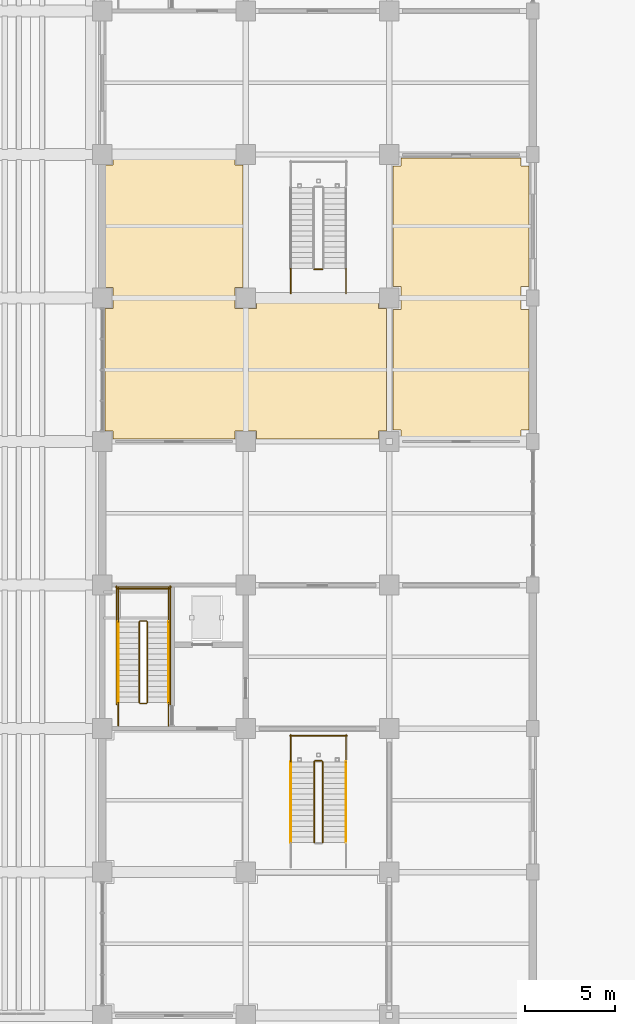
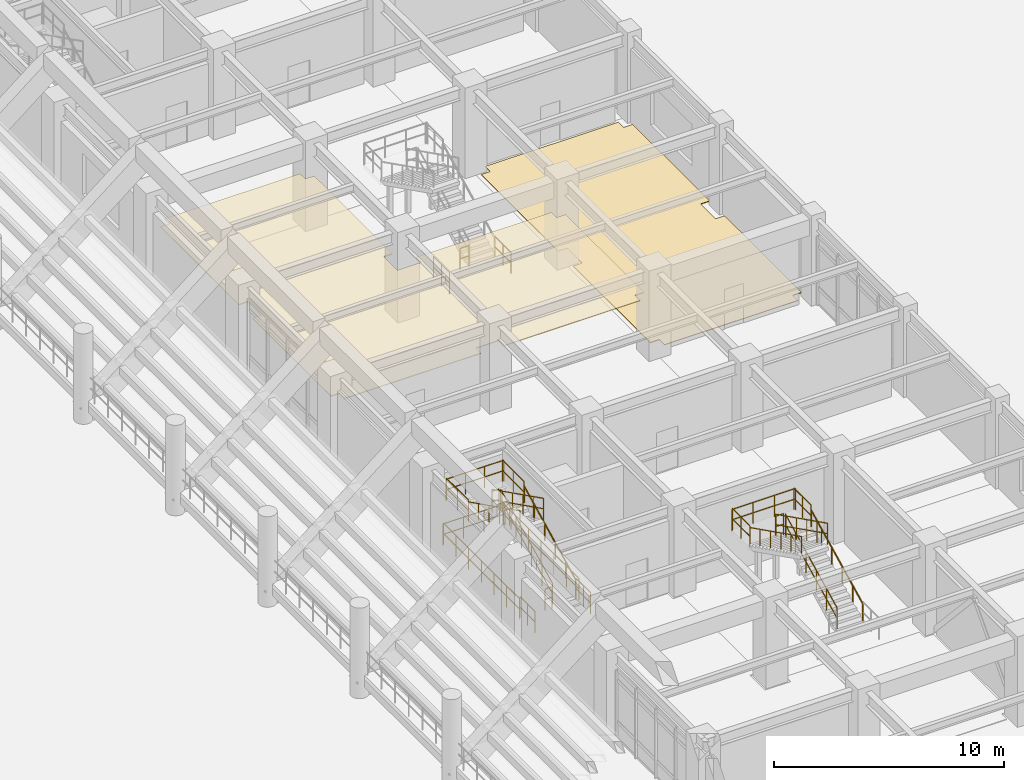
# One storey, part 114 of 125: 25 railings, 2 coverings.
"""IFC4 building model written with IfcOpenShell, lengths in metres."""

from ifc_helpers import new_model, si_unit, direction, frame, origin, origin_2d, place, context, subcontext, project, spatial, polyline, circle, outline, extrude, material, layer, layer_set, type_object, element, save


model = new_model("IFC4")

# Units and contexts
model_context = context("Model", 3, precision=1e-05, world=origin(), true_north=direction((0.0, 1.0)))
body_context = subcontext(model_context, "Body", "Model", "MODEL_VIEW")
ifc_project = project(units=[si_unit("LENGTHUNIT", "METRE"), si_unit("AREAUNIT", "SQUARE_METRE"), si_unit("VOLUMEUNIT", "CUBIC_METRE"), si_unit("PLANEANGLEUNIT", "RADIAN"), si_unit("MASSUNIT", "GRAM", prefix="KILO")], contexts=[model_context])

# Site, building, storey
site_placement = place(None, origin())
site = spatial("IfcSite", under=ifc_project, at=site_placement, CompositionType="ELEMENT")
building_placement = place(site_placement, origin())
building = spatial("IfcBuilding", under=site, at=building_placement, Name="Haebicheon Civic Stadium", CompositionType="ELEMENT")
storey_placement = place(building_placement, origin())
storey = spatial("IfcBuildingStorey", under=building, at=storey_placement, Name="L01", CompositionType="ELEMENT", Elevation=0.0)

# Coverings
ifc_material_1 = material(Name="Perforated mineral-fibre acoustic board", Category="gypsum")
ifc_layer_1 = layer(ifc_material_1, 0.0400390625, Name="Perforated mineral-fibre acoustic board")
ifc_layer_set_1 = layer_set([ifc_layer_1], Name="Perforated mineral-fibre acoustic board")
covering_type_1 = type_object("IfcCoveringType", Name="COV-CLG-AC", PredefinedType="CEILING", material=ifc_layer_set_1)
covering_1_placement = place(storey_placement, frame((0.0, 0.0, 2.81005859375)))
element("IfcCovering", 1, at=covering_1_placement, inside=storey, type_object=covering_type_1, material=ifc_layer_set_1, Name="L01 Steward Operations Briefing Room acoustic ceiling", PredefinedType="CEILING", context=body_context, shape_type="SweptSolid", body=[
    extrude(outline(polyline([(144.14501953125, 87.405029296875), (144.594970703125, 87.405029296875), (144.594970703125, 88.594970703125), (144.14501953125, 88.594970703125), (144.14501953125, 95.405029296875), (144.594970703125, 95.405029296875), (144.594970703125, 95.85498046875), (151.405029296875, 95.85498046875), (151.405029296875, 95.405029296875), (151.85498046875, 95.405029296875), (151.85498046875, 88.594970703125), (151.405029296875, 88.594970703125), (151.405029296875, 87.405029296875), (152.594970703125, 87.405029296875), (152.594970703125, 87.85498046875), (159.405029296875, 87.85498046875), (159.405029296875, 87.405029296875), (159.85498046875, 87.405029296875), (159.85498046875, 80.594970703125), (159.405029296875, 80.594970703125), (159.405029296875, 80.14501953125), (152.594970703125, 80.14501953125), (152.594970703125, 80.594970703125), (151.405029296875, 80.594970703125), (151.405029296875, 80.14501953125), (144.594970703125, 80.14501953125), (144.594970703125, 80.594970703125), (144.14501953125, 80.594970703125), (144.14501953125, 87.405029296875)])), origin(), (0.0, 0.0, 1.0), 0.0400390625),
])
ifc_material_2 = material(Name="Quartz epoxy resin mortar", Category="concrete")
ifc_layer_2 = layer(ifc_material_2, 0.030029296875, Name="Quartz epoxy resin mortar")
ifc_layer_set_2 = layer_set([ifc_layer_2], Name="Quartz epoxy resin mortar")
covering_type_2 = type_object("IfcCoveringType", Name="COV-FLR-EPX", PredefinedType="FLOORING", material=ifc_layer_set_2)
covering_2_placement = place(storey_placement, origin())
element("IfcCovering", 2, at=covering_2_placement, inside=storey, type_object=covering_type_2, material=ifc_layer_set_2, Name="L01 Main Spectator Concourse non-slip floor finish", PredefinedType="FLOORING", context=body_context, shape_type="SweptSolid", body=[
    extrude(outline(polyline([(160.64990234375, 80.199951171875), (160.64990234375, 80.64990234375), (160.199951171875, 80.64990234375), (160.199951171875, 87.35009765625), (160.64990234375, 87.35009765625), (160.64990234375, 88.64990234375), (160.199951171875, 88.64990234375), (160.199951171875, 95.35009765625), (160.64990234375, 95.35009765625), (160.64990234375, 95.800048828125), (167.35009765625, 95.800048828125), (167.35009765625, 95.35009765625), (167.800048828125, 95.35009765625), (167.800048828125, 88.64990234375), (167.35009765625, 88.64990234375), (167.35009765625, 87.35009765625), (167.800048828125, 87.35009765625), (167.800048828125, 80.64990234375), (167.35009765625, 80.64990234375), (167.35009765625, 80.199951171875), (160.64990234375, 80.199951171875)])), origin(), (0.0, 0.0, 1.0), 0.030029296875),
])

# Railings
ifc_material_3 = material(Name="Galvanised painted steel SM355", Category="steel")
railing_type_1 = type_object("IfcRailingType", Name="RL-GRD-1150", PredefinedType="GUARDRAIL", material=ifc_material_3)
railing_1_placement = place(storey_placement, frame((146.510009765625, 65.449951171875, 0.14990234375)))
element("IfcRailing", 3, at=railing_1_placement, inside=storey, type_object=railing_type_1, material=ifc_material_3, Name="L01 ST-10 stair guard 1", PredefinedType="GUARDRAIL", context=body_context, shape_type="SweptSolid", body=[
    extrude(circle(Radius=0.02392578125, at=origin_2d()), frame((0.0, 0.0, 1.1259765625), z_axis=(0.0, 0.894427191, 0.4472135955), x_axis=(-1.0, 0.0, 0.0)), (0.0, 0.0, 1.0), 5.03125),
    extrude(circle(Radius=0.02392578125, at=origin_2d()), frame((0.0, 0.0, 0.574951171875), z_axis=(0.0, 0.894427191, 0.4472135955), x_axis=(-1.0, 0.0, 0.0)), (0.0, 0.0, 1.0), 5.03125),
    extrude(circle(Radius=0.02099609375, at=origin_2d()), origin(), (0.0, 0.0, 1.0), 1.101806640625),
    extrude(circle(Radius=0.02099609375, at=origin_2d()), frame((0.0, 0.89990234375, 0.449951171875)), (0.0, 0.0, 1.0), 1.101806640625),
    extrude(circle(Radius=0.02099609375, at=origin_2d()), frame((0.0, 1.800048828125, 0.89990234375)), (0.0, 0.0, 1.0), 1.101806640625),
    extrude(circle(Radius=0.02099609375, at=origin_2d()), frame((0.0, 2.699951171875, 1.35009765625)), (0.0, 0.0, 1.0), 1.101806640625),
    extrude(circle(Radius=0.02099609375, at=origin_2d()), frame((0.0, 3.60009765625, 1.800048828125)), (0.0, 0.0, 1.0), 1.101806640625),
    extrude(circle(Radius=0.02099609375, at=origin_2d()), frame((0.0, 4.5, 2.25)), (0.0, 0.0, 1.0), 1.101806640625),
])
railing_2_placement = place(storey_placement, frame((146.4599609375, 70.0, 2.39990234375)))
element("IfcRailing", 4, at=railing_2_placement, inside=storey, type_object=railing_type_1, material=ifc_material_3, Name="L01 ST-10 stair guard 2", PredefinedType="GUARDRAIL", context=body_context, shape_type="SweptSolid", body=[
    extrude(circle(Radius=0.02392578125, at=origin_2d()), frame((0.0, 0.0, 1.1259765625), z_axis=(-1.0, 0.0, 0.0), x_axis=(0.0, -1.0, 0.0)), (0.0, 0.0, 1.0), 0.33984375),
    extrude(circle(Radius=0.02392578125, at=origin_2d()), frame((0.0, 0.0, 0.574951171875), z_axis=(-1.0, 0.0, 0.0), x_axis=(0.0, -1.0, 0.0)), (0.0, 0.0, 1.0), 0.33984375),
    extrude(circle(Radius=0.02099609375, at=origin_2d()), origin(), (0.0, 0.0, 1.0), 1.101806640625),
    extrude(circle(Radius=0.02099609375, at=origin_2d()), frame((-0.33984375, 0.0, 0.0)), (0.0, 0.0, 1.0), 1.101806640625),
])
for number, where, name in (
    (5, (147.68994140625, 69.949951171875, 2.39990234375), "L01 ST-10 stair guard 3"),
    (6, (144.889892578125, 69.949951171875, 2.39990234375), "L01 ST-10 stair guard 4"),
):
    element("IfcRailing", number, at=place(storey_placement, frame(where)), inside=storey, type_object=railing_type_1, material=ifc_material_3, Name=name, PredefinedType="GUARDRAIL", context=body_context, shape_type="SweptSolid", body=[
        extrude(circle(Radius=0.02392578125, at=origin_2d()), frame((0.0, 0.0, 1.1259765625), z_axis=(0.0, 1.0, 0.0), x_axis=(-1.0, 0.0, 0.0)), (0.0, 0.0, 1.0), 1.89013671875),
        extrude(circle(Radius=0.02392578125, at=origin_2d()), frame((0.0, 0.0, 0.574951171875), z_axis=(0.0, 1.0, 0.0), x_axis=(-1.0, 0.0, 0.0)), (0.0, 0.0, 1.0), 1.89013671875),
        extrude(circle(Radius=0.02099609375, at=origin_2d()), origin(), (0.0, 0.0, 1.0), 1.101806640625),
        extrude(circle(Radius=0.02099609375, at=origin_2d()), frame((0.0, 0.945068359375, 0.0)), (0.0, 0.0, 1.0), 1.101806640625),
        extrude(circle(Radius=0.02099609375, at=origin_2d()), frame((0.0, 1.89013671875, 0.0)), (0.0, 0.0, 1.0), 1.101806640625),
    ])
railing_3_placement = place(storey_placement, frame((147.739990234375, 71.7900390625, 2.39990234375)))
element("IfcRailing", 7, at=railing_3_placement, inside=storey, type_object=railing_type_1, material=ifc_material_3, Name="L01 ST-10 stair guard 5", PredefinedType="GUARDRAIL", context=body_context, shape_type="SweptSolid", body=[
    extrude(circle(Radius=0.02392578125, at=origin_2d()), frame((0.0, 0.0, 1.1259765625), z_axis=(-1.0, 0.0, 0.0), x_axis=(0.0, -1.0, 0.0)), (0.0, 0.0, 1.0), 2.89990234375),
    extrude(circle(Radius=0.02392578125, at=origin_2d()), frame((0.0, 0.0, 0.574951171875), z_axis=(-1.0, 0.0, 0.0), x_axis=(0.0, -1.0, 0.0)), (0.0, 0.0, 1.0), 2.89990234375),
    extrude(circle(Radius=0.02099609375, at=origin_2d()), origin(), (0.0, 0.0, 1.0), 1.101806640625),
    extrude(circle(Radius=0.02099609375, at=origin_2d()), frame((-0.966552734375, 0.0, 0.0)), (0.0, 0.0, 1.0), 1.101806640625),
    extrude(circle(Radius=0.02099609375, at=origin_2d()), frame((-1.933349609375, 0.0, 0.0)), (0.0, 0.0, 1.0), 1.101806640625),
    extrude(circle(Radius=0.02099609375, at=origin_2d()), frame((-2.89990234375, 0.0, 0.0)), (0.0, 0.0, 1.0), 1.101806640625),
])
railing_4_placement = place(storey_placement, frame((146.070068359375, 69.949951171875, 2.550048828125)))
element("IfcRailing", 8, at=railing_4_placement, inside=storey, type_object=railing_type_1, material=ifc_material_3, Name="L01 ST-10 stair guard 6", PredefinedType="GUARDRAIL", context=body_context, shape_type="SweptSolid", body=[
    extrude(circle(Radius=0.02392578125, at=origin_2d()), frame((0.0, 0.0, 1.1259765625), z_axis=(0.0, -0.894427191, 0.4472135955), x_axis=(1.0, 0.0, 0.0)), (0.0, 0.0, 1.0), 5.03125),
    extrude(circle(Radius=0.02392578125, at=origin_2d()), frame((0.0, 0.0, 0.574951171875), z_axis=(0.0, -0.894427191, 0.4472135955), x_axis=(1.0, 0.0, 0.0)), (0.0, 0.0, 1.0), 5.03125),
    extrude(circle(Radius=0.02099609375, at=origin_2d()), origin(), (0.0, 0.0, 1.0), 1.101806640625),
    extrude(circle(Radius=0.02099609375, at=origin_2d()), frame((0.0, -0.89990234375, 0.449951171875)), (0.0, 0.0, 1.0), 1.101806640625),
    extrude(circle(Radius=0.02099609375, at=origin_2d()), frame((0.0, -1.800048828125, 0.89990234375)), (0.0, 0.0, 1.0), 1.101806640625),
    extrude(circle(Radius=0.02099609375, at=origin_2d()), frame((0.0, -2.699951171875, 1.35009765625)), (0.0, 0.0, 1.0), 1.101806640625),
    extrude(circle(Radius=0.02099609375, at=origin_2d()), frame((0.0, -3.60009765625, 1.800048828125)), (0.0, 0.0, 1.0), 1.101806640625),
    extrude(circle(Radius=0.02099609375, at=origin_2d()), frame((0.0, -4.5, 2.25)), (0.0, 0.0, 1.0), 1.101806640625),
])
railing_5_placement = place(storey_placement, frame((146.4599609375, 65.39990234375, 0.0)))
element("IfcRailing", 9, at=railing_5_placement, inside=storey, type_object=railing_type_1, material=ifc_material_3, Name="L01 ST-10 stair guard 7", PredefinedType="GUARDRAIL", context=body_context, shape_type="SweptSolid", body=[
    extrude(circle(Radius=0.02392578125, at=origin_2d()), frame((0.0, 0.0, 1.1259765625), z_axis=(-1.0, 0.0, 0.0), x_axis=(0.0, -1.0, 0.0)), (0.0, 0.0, 1.0), 0.33984375),
    extrude(circle(Radius=0.02392578125, at=origin_2d()), frame((0.0, 0.0, 0.574951171875), z_axis=(-1.0, 0.0, 0.0), x_axis=(0.0, -1.0, 0.0)), (0.0, 0.0, 1.0), 0.33984375),
    extrude(circle(Radius=0.02099609375, at=origin_2d()), origin(), (0.0, 0.0, 1.0), 1.101806640625),
    extrude(circle(Radius=0.02099609375, at=origin_2d()), frame((-0.33984375, 0.0, 0.0)), (0.0, 0.0, 1.0), 1.101806640625),
])
for number, where, name in (
    (10, (147.68994140625, 64.159912109375, 0.0), "L01 ST-10 stair guard 8"),
    (11, (144.889892578125, 64.159912109375, 0.0), "L01 ST-10 stair guard 9"),
):
    element("IfcRailing", number, at=place(storey_placement, frame(where)), inside=storey, type_object=railing_type_1, material=ifc_material_3, Name=name, PredefinedType="GUARDRAIL", context=body_context, shape_type="SweptSolid", body=[
        extrude(circle(Radius=0.02392578125, at=origin_2d()), frame((0.0, 0.0, 1.1259765625), z_axis=(0.0, 1.0, 0.0), x_axis=(-1.0, 0.0, 0.0)), (0.0, 0.0, 1.0), 1.2900390625),
        extrude(circle(Radius=0.02392578125, at=origin_2d()), frame((0.0, 0.0, 0.574951171875), z_axis=(0.0, 1.0, 0.0), x_axis=(-1.0, 0.0, 0.0)), (0.0, 0.0, 1.0), 1.2900390625),
        extrude(circle(Radius=0.02099609375, at=origin_2d()), origin(), (0.0, 0.0, 1.0), 1.101806640625),
        extrude(circle(Radius=0.02099609375, at=origin_2d()), frame((0.0, 0.64501953125, 0.0)), (0.0, 0.0, 1.0), 1.101806640625),
        extrude(circle(Radius=0.02099609375, at=origin_2d()), frame((0.0, 1.2900390625, 0.0)), (0.0, 0.0, 1.0), 1.101806640625),
    ])
for number, where, name in (
    (12, (147.7900390625, 65.35009765625, 0.0), "L01 ST-10 stair guard 10"),
    (13, (144.7900390625, 65.35009765625, 0.0), "L01 ST-10 stair guard 11"),
):
    element("IfcRailing", number, at=place(storey_placement, frame(where)), inside=storey, type_object=railing_type_1, material=ifc_material_3, Name=name, PredefinedType="GUARDRAIL", context=body_context, shape_type="SweptSolid", body=[
        extrude(circle(Radius=0.02392578125, at=origin_2d()), frame((0.0, 0.0, 1.1259765625), z_axis=(0.0, 1.0, 0.0), x_axis=(-1.0, 0.0, 0.0)), (0.0, 0.0, 1.0), 6.58984375),
        extrude(circle(Radius=0.02392578125, at=origin_2d()), frame((0.0, 0.0, 0.574951171875), z_axis=(0.0, 1.0, 0.0), x_axis=(-1.0, 0.0, 0.0)), (0.0, 0.0, 1.0), 6.58984375),
        extrude(circle(Radius=0.02099609375, at=origin_2d()), origin(), (0.0, 0.0, 1.0), 1.101806640625),
        extrude(circle(Radius=0.02099609375, at=origin_2d()), frame((0.0, 1.098388671875, 0.0)), (0.0, 0.0, 1.0), 1.101806640625),
        extrude(circle(Radius=0.02099609375, at=origin_2d()), frame((0.0, 2.196533203125, 0.0)), (0.0, 0.0, 1.0), 1.101806640625),
        extrude(circle(Radius=0.02099609375, at=origin_2d()), frame((0.0, 3.294921875, 0.0)), (0.0, 0.0, 1.0), 1.101806640625),
        extrude(circle(Radius=0.02099609375, at=origin_2d()), frame((0.0, 4.393310546875, 0.0)), (0.0, 0.0, 1.0), 1.101806640625),
        extrude(circle(Radius=0.02099609375, at=origin_2d()), frame((0.0, 5.491455078125, 0.0)), (0.0, 0.0, 1.0), 1.101806640625),
        extrude(circle(Radius=0.02099609375, at=origin_2d()), frame((0.0, 6.58984375, 0.0)), (0.0, 0.0, 1.0), 1.101806640625),
    ])
railing_6_placement = place(storey_placement, frame((147.840087890625, 71.889892578125, 0.0)))
element("IfcRailing", 14, at=railing_6_placement, inside=storey, type_object=railing_type_1, material=ifc_material_3, Name="L01 ST-10 stair guard 12", PredefinedType="GUARDRAIL", context=body_context, shape_type="SweptSolid", body=[
    extrude(circle(Radius=0.02392578125, at=origin_2d()), frame((0.0, 0.0, 1.1259765625), z_axis=(-1.0, 0.0, 0.0), x_axis=(0.0, -1.0, 0.0)), (0.0, 0.0, 1.0), 3.10009765625),
    extrude(circle(Radius=0.02392578125, at=origin_2d()), frame((0.0, 0.0, 0.574951171875), z_axis=(-1.0, 0.0, 0.0), x_axis=(0.0, -1.0, 0.0)), (0.0, 0.0, 1.0), 3.10009765625),
    extrude(circle(Radius=0.02099609375, at=origin_2d()), origin(), (0.0, 0.0, 1.0), 1.101806640625),
    extrude(circle(Radius=0.02099609375, at=origin_2d()), frame((-1.033447265625, 0.0, 0.0)), (0.0, 0.0, 1.0), 1.101806640625),
    extrude(circle(Radius=0.02099609375, at=origin_2d()), frame((-2.066650390625, 0.0, 0.0)), (0.0, 0.0, 1.0), 1.101806640625),
    extrude(circle(Radius=0.02099609375, at=origin_2d()), frame((-3.10009765625, 0.0, 0.0)), (0.0, 0.0, 1.0), 1.101806640625),
])
railing_7_placement = place(storey_placement, frame((156.2900390625, 57.64990234375, 0.14990234375)))
element("IfcRailing", 15, at=railing_7_placement, inside=storey, type_object=railing_type_1, material=ifc_material_3, Name="L01 VM-06 stair guard 1", PredefinedType="GUARDRAIL", context=body_context, shape_type="SweptSolid", body=[
    extrude(circle(Radius=0.02392578125, at=origin_2d()), frame((0.0, 0.0, 1.1259765625), z_axis=(0.0, 0.894427191, 0.4472135955), x_axis=(-1.0, 0.0, 0.0)), (0.0, 0.0, 1.0), 5.03125),
    extrude(circle(Radius=0.02392578125, at=origin_2d()), frame((0.0, 0.0, 0.574951171875), z_axis=(0.0, 0.894427191, 0.4472135955), x_axis=(-1.0, 0.0, 0.0)), (0.0, 0.0, 1.0), 5.03125),
    extrude(circle(Radius=0.02099609375, at=origin_2d()), origin(), (0.0, 0.0, 1.0), 1.101806640625),
    extrude(circle(Radius=0.02099609375, at=origin_2d()), frame((0.0, 0.89990234375, 0.449951171875)), (0.0, 0.0, 1.0), 1.101806640625),
    extrude(circle(Radius=0.02099609375, at=origin_2d()), frame((0.0, 1.800048828125, 0.89990234375)), (0.0, 0.0, 1.0), 1.101806640625),
    extrude(circle(Radius=0.02099609375, at=origin_2d()), frame((0.0, 2.699951171875, 1.35009765625)), (0.0, 0.0, 1.0), 1.101806640625),
    extrude(circle(Radius=0.02099609375, at=origin_2d()), frame((0.0, 3.60009765625, 1.800048828125)), (0.0, 0.0, 1.0), 1.101806640625),
    extrude(circle(Radius=0.02099609375, at=origin_2d()), frame((0.0, 4.5, 2.25)), (0.0, 0.0, 1.0), 1.101806640625),
])
railing_8_placement = place(storey_placement, frame((156.239990234375, 62.199951171875, 2.39990234375)))
element("IfcRailing", 16, at=railing_8_placement, inside=storey, type_object=railing_type_1, material=ifc_material_3, Name="L01 VM-06 stair guard 2", PredefinedType="GUARDRAIL", context=body_context, shape_type="SweptSolid", body=[
    extrude(circle(Radius=0.02392578125, at=origin_2d()), frame((0.0, 0.0, 1.1259765625), z_axis=(-1.0, 0.0, 0.0), x_axis=(0.0, -1.0, 0.0)), (0.0, 0.0, 1.0), 0.3798828125),
    extrude(circle(Radius=0.02392578125, at=origin_2d()), frame((0.0, 0.0, 0.574951171875), z_axis=(-1.0, 0.0, 0.0), x_axis=(0.0, -1.0, 0.0)), (0.0, 0.0, 1.0), 0.3798828125),
    extrude(circle(Radius=0.02099609375, at=origin_2d()), origin(), (0.0, 0.0, 1.0), 1.101806640625),
    extrude(circle(Radius=0.02099609375, at=origin_2d()), frame((-0.3798828125, 0.0, 0.0)), (0.0, 0.0, 1.0), 1.101806640625),
])
for number, where, name in (
    (17, (157.590087890625, 62.14990234375, 2.39990234375), "L01 VM-06 stair guard 3"),
    (18, (154.510009765625, 62.14990234375, 2.39990234375), "L01 VM-06 stair guard 4"),
):
    element("IfcRailing", number, at=place(storey_placement, frame(where)), inside=storey, type_object=railing_type_1, material=ifc_material_3, Name=name, PredefinedType="GUARDRAIL", context=body_context, shape_type="SweptSolid", body=[
        extrude(circle(Radius=0.02392578125, at=origin_2d()), frame((0.0, 0.0, 1.1259765625), z_axis=(0.0, 1.0, 0.0), x_axis=(-1.0, 0.0, 0.0)), (0.0, 0.0, 1.0), 1.5),
        extrude(circle(Radius=0.02392578125, at=origin_2d()), frame((0.0, 0.0, 0.574951171875), z_axis=(0.0, 1.0, 0.0), x_axis=(-1.0, 0.0, 0.0)), (0.0, 0.0, 1.0), 1.5),
        extrude(circle(Radius=0.02099609375, at=origin_2d()), origin(), (0.0, 0.0, 1.0), 1.101806640625),
        extrude(circle(Radius=0.02099609375, at=origin_2d()), frame((0.0, 0.75, 0.0)), (0.0, 0.0, 1.0), 1.101806640625),
        extrude(circle(Radius=0.02099609375, at=origin_2d()), frame((0.0, 1.5, 0.0)), (0.0, 0.0, 1.0), 1.101806640625),
    ])
railing_9_placement = place(storey_placement, frame((157.639892578125, 63.60009765625, 2.39990234375)))
element("IfcRailing", 19, at=railing_9_placement, inside=storey, type_object=railing_type_1, material=ifc_material_3, Name="L01 VM-06 stair guard 5", PredefinedType="GUARDRAIL", context=body_context, shape_type="SweptSolid", body=[
    extrude(circle(Radius=0.02392578125, at=origin_2d()), frame((0.0, 0.0, 1.1259765625), z_axis=(-1.0, 0.0, 0.0), x_axis=(0.0, -1.0, 0.0)), (0.0, 0.0, 1.0), 3.179931640625),
    extrude(circle(Radius=0.02392578125, at=origin_2d()), frame((0.0, 0.0, 0.574951171875), z_axis=(-1.0, 0.0, 0.0), x_axis=(0.0, -1.0, 0.0)), (0.0, 0.0, 1.0), 3.179931640625),
    extrude(circle(Radius=0.02099609375, at=origin_2d()), origin(), (0.0, 0.0, 1.0), 1.101806640625),
    extrude(circle(Radius=0.02099609375, at=origin_2d()), frame((-1.06005859375, 0.0, 0.0)), (0.0, 0.0, 1.0), 1.101806640625),
    extrude(circle(Radius=0.02099609375, at=origin_2d()), frame((-2.119873046875, 0.0, 0.0)), (0.0, 0.0, 1.0), 1.101806640625),
    extrude(circle(Radius=0.02099609375, at=origin_2d()), frame((-3.179931640625, 0.0, 0.0)), (0.0, 0.0, 1.0), 1.101806640625),
])
railing_10_placement = place(storey_placement, frame((155.81005859375, 62.14990234375, 2.550048828125)))
element("IfcRailing", 20, at=railing_10_placement, inside=storey, type_object=railing_type_1, material=ifc_material_3, Name="L01 VM-06 stair guard 6", PredefinedType="GUARDRAIL", context=body_context, shape_type="SweptSolid", body=[
    extrude(circle(Radius=0.02392578125, at=origin_2d()), frame((0.0, 0.0, 1.1259765625), z_axis=(0.0, -0.894427191, 0.4472135955), x_axis=(1.0, 0.0, 0.0)), (0.0, 0.0, 1.0), 5.03125),
    extrude(circle(Radius=0.02392578125, at=origin_2d()), frame((0.0, 0.0, 0.574951171875), z_axis=(0.0, -0.894427191, 0.4472135955), x_axis=(1.0, 0.0, 0.0)), (0.0, 0.0, 1.0), 5.03125),
    extrude(circle(Radius=0.02099609375, at=origin_2d()), origin(), (0.0, 0.0, 1.0), 1.101806640625),
    extrude(circle(Radius=0.02099609375, at=origin_2d()), frame((0.0, -0.89990234375, 0.449951171875)), (0.0, 0.0, 1.0), 1.101806640625),
    extrude(circle(Radius=0.02099609375, at=origin_2d()), frame((0.0, -1.800048828125, 0.89990234375)), (0.0, 0.0, 1.0), 1.101806640625),
    extrude(circle(Radius=0.02099609375, at=origin_2d()), frame((0.0, -2.699951171875, 1.35009765625)), (0.0, 0.0, 1.0), 1.101806640625),
    extrude(circle(Radius=0.02099609375, at=origin_2d()), frame((0.0, -3.60009765625, 1.800048828125)), (0.0, 0.0, 1.0), 1.101806640625),
    extrude(circle(Radius=0.02099609375, at=origin_2d()), frame((0.0, -4.5, 2.25)), (0.0, 0.0, 1.0), 1.101806640625),
])
railing_11_placement = place(storey_placement, frame((156.280029296875, 89.60009765625, 0.0)))
element("IfcRailing", 21, at=railing_11_placement, inside=storey, type_object=railing_type_1, material=ifc_material_3, Name="L01 VM-07 stair guard 7", PredefinedType="GUARDRAIL", context=body_context, shape_type="SweptSolid", body=[
    extrude(circle(Radius=0.02392578125, at=origin_2d()), frame((0.0, 0.0, 1.1259765625), z_axis=(-1.0, 0.0, 0.0), x_axis=(0.0, -1.0, 0.0)), (0.0, 0.0, 1.0), 0.4599609375),
    extrude(circle(Radius=0.02392578125, at=origin_2d()), frame((0.0, 0.0, 0.574951171875), z_axis=(-1.0, 0.0, 0.0), x_axis=(0.0, -1.0, 0.0)), (0.0, 0.0, 1.0), 0.4599609375),
    extrude(circle(Radius=0.02099609375, at=origin_2d()), origin(), (0.0, 0.0, 1.0), 1.101806640625),
    extrude(circle(Radius=0.02099609375, at=origin_2d()), frame((-0.4599609375, 0.0, 0.0)), (0.0, 0.0, 1.0), 1.101806640625),
])
for number, where, name in (
    (22, (157.590087890625, 88.25, 0.0), "L01 VM-07 stair guard 8"),
    (23, (154.510009765625, 88.25, 0.0), "L01 VM-07 stair guard 9"),
):
    element("IfcRailing", number, at=place(storey_placement, frame(where)), inside=storey, type_object=railing_type_1, material=ifc_material_3, Name=name, PredefinedType="GUARDRAIL", context=body_context, shape_type="SweptSolid", body=[
        extrude(circle(Radius=0.02392578125, at=origin_2d()), frame((0.0, 0.0, 1.1259765625), z_axis=(0.0, 1.0, 0.0), x_axis=(-1.0, 0.0, 0.0)), (0.0, 0.0, 1.0), 1.39990234375),
        extrude(circle(Radius=0.02392578125, at=origin_2d()), frame((0.0, 0.0, 0.574951171875), z_axis=(0.0, 1.0, 0.0), x_axis=(-1.0, 0.0, 0.0)), (0.0, 0.0, 1.0), 1.39990234375),
        extrude(circle(Radius=0.02099609375, at=origin_2d()), origin(), (0.0, 0.0, 1.0), 1.101806640625),
        extrude(circle(Radius=0.02099609375, at=origin_2d()), frame((0.0, 0.699951171875, 0.0)), (0.0, 0.0, 1.0), 1.101806640625),
        extrude(circle(Radius=0.02099609375, at=origin_2d()), frame((0.0, 1.39990234375, 0.0)), (0.0, 0.0, 1.0), 1.101806640625),
    ])
ifc_material_4 = material(Name="Stainless steel 316", Category="steel")
railing_type_2 = type_object("IfcRailingType", Name="RL-HND-900", PredefinedType="HANDRAIL", material=ifc_material_4)
railing_12_placement = place(storey_placement, frame((147.68994140625, 65.449951171875, 0.14990234375)))
element("IfcRailing", 24, at=railing_12_placement, inside=storey, type_object=railing_type_2, material=ifc_material_4, Name="L01 ST-10 stair handrail 1", PredefinedType="HANDRAIL", context=body_context, shape_type="SweptSolid", body=[
    extrude(circle(Radius=0.02392578125, at=origin_2d()), frame((0.0, 0.0, 0.8759765625), z_axis=(0.0, 0.894427191, 0.4472135955), x_axis=(-1.0, 0.0, 0.0)), (0.0, 0.0, 1.0), 5.03125),
    extrude(circle(Radius=0.02099609375, at=origin_2d()), origin(), (0.0, 0.0, 1.0), 0.851806640625),
    extrude(circle(Radius=0.02099609375, at=origin_2d()), frame((0.0, 0.89990234375, 0.449951171875)), (0.0, 0.0, 1.0), 0.851806640625),
    extrude(circle(Radius=0.02099609375, at=origin_2d()), frame((0.0, 1.800048828125, 0.89990234375)), (0.0, 0.0, 1.0), 0.851806640625),
    extrude(circle(Radius=0.02099609375, at=origin_2d()), frame((0.0, 2.699951171875, 1.35009765625)), (0.0, 0.0, 1.0), 0.851806640625),
    extrude(circle(Radius=0.02099609375, at=origin_2d()), frame((0.0, 3.60009765625, 1.800048828125)), (0.0, 0.0, 1.0), 0.851806640625),
    extrude(circle(Radius=0.02099609375, at=origin_2d()), frame((0.0, 4.5, 2.25)), (0.0, 0.0, 1.0), 0.851806640625),
])
railing_13_placement = place(storey_placement, frame((144.889892578125, 69.949951171875, 2.550048828125)))
element("IfcRailing", 25, at=railing_13_placement, inside=storey, type_object=railing_type_2, material=ifc_material_4, Name="L01 ST-10 stair handrail 2", PredefinedType="HANDRAIL", context=body_context, shape_type="SweptSolid", body=[
    extrude(circle(Radius=0.02392578125, at=origin_2d()), frame((0.0, 0.0, 0.8759765625), z_axis=(0.0, -0.894427191, 0.4472135955), x_axis=(1.0, 0.0, 0.0)), (0.0, 0.0, 1.0), 5.03125),
    extrude(circle(Radius=0.02099609375, at=origin_2d()), origin(), (0.0, 0.0, 1.0), 0.851806640625),
    extrude(circle(Radius=0.02099609375, at=origin_2d()), frame((0.0, -0.89990234375, 0.449951171875)), (0.0, 0.0, 1.0), 0.851806640625),
    extrude(circle(Radius=0.02099609375, at=origin_2d()), frame((0.0, -1.800048828125, 0.89990234375)), (0.0, 0.0, 1.0), 0.851806640625),
    extrude(circle(Radius=0.02099609375, at=origin_2d()), frame((0.0, -2.699951171875, 1.35009765625)), (0.0, 0.0, 1.0), 0.851806640625),
    extrude(circle(Radius=0.02099609375, at=origin_2d()), frame((0.0, -3.60009765625, 1.800048828125)), (0.0, 0.0, 1.0), 0.851806640625),
    extrude(circle(Radius=0.02099609375, at=origin_2d()), frame((0.0, -4.5, 2.25)), (0.0, 0.0, 1.0), 0.851806640625),
])
railing_14_placement = place(storey_placement, frame((157.590087890625, 57.64990234375, 0.14990234375)))
element("IfcRailing", 26, at=railing_14_placement, inside=storey, type_object=railing_type_2, material=ifc_material_4, Name="L01 VM-06 stair handrail 1", PredefinedType="HANDRAIL", context=body_context, shape_type="SweptSolid", body=[
    extrude(circle(Radius=0.02392578125, at=origin_2d()), frame((0.0, 0.0, 0.8759765625), z_axis=(0.0, 0.894427191, 0.4472135955), x_axis=(-1.0, 0.0, 0.0)), (0.0, 0.0, 1.0), 5.03125),
    extrude(circle(Radius=0.02099609375, at=origin_2d()), origin(), (0.0, 0.0, 1.0), 0.851806640625),
    extrude(circle(Radius=0.02099609375, at=origin_2d()), frame((0.0, 0.89990234375, 0.449951171875)), (0.0, 0.0, 1.0), 0.851806640625),
    extrude(circle(Radius=0.02099609375, at=origin_2d()), frame((0.0, 1.800048828125, 0.89990234375)), (0.0, 0.0, 1.0), 0.851806640625),
    extrude(circle(Radius=0.02099609375, at=origin_2d()), frame((0.0, 2.699951171875, 1.35009765625)), (0.0, 0.0, 1.0), 0.851806640625),
    extrude(circle(Radius=0.02099609375, at=origin_2d()), frame((0.0, 3.60009765625, 1.800048828125)), (0.0, 0.0, 1.0), 0.851806640625),
    extrude(circle(Radius=0.02099609375, at=origin_2d()), frame((0.0, 4.5, 2.25)), (0.0, 0.0, 1.0), 0.851806640625),
])
railing_15_placement = place(storey_placement, frame((154.510009765625, 62.14990234375, 2.550048828125)))
element("IfcRailing", 27, at=railing_15_placement, inside=storey, type_object=railing_type_2, material=ifc_material_4, Name="L01 VM-06 stair handrail 2", PredefinedType="HANDRAIL", context=body_context, shape_type="SweptSolid", body=[
    extrude(circle(Radius=0.02392578125, at=origin_2d()), frame((0.0, 0.0, 0.8759765625), z_axis=(0.0, -0.894427191, 0.4472135955), x_axis=(1.0, 0.0, 0.0)), (0.0, 0.0, 1.0), 5.03125),
    extrude(circle(Radius=0.02099609375, at=origin_2d()), origin(), (0.0, 0.0, 1.0), 0.851806640625),
    extrude(circle(Radius=0.02099609375, at=origin_2d()), frame((0.0, -0.89990234375, 0.449951171875)), (0.0, 0.0, 1.0), 0.851806640625),
    extrude(circle(Radius=0.02099609375, at=origin_2d()), frame((0.0, -1.800048828125, 0.89990234375)), (0.0, 0.0, 1.0), 0.851806640625),
    extrude(circle(Radius=0.02099609375, at=origin_2d()), frame((0.0, -2.699951171875, 1.35009765625)), (0.0, 0.0, 1.0), 0.851806640625),
    extrude(circle(Radius=0.02099609375, at=origin_2d()), frame((0.0, -3.60009765625, 1.800048828125)), (0.0, 0.0, 1.0), 0.851806640625),
    extrude(circle(Radius=0.02099609375, at=origin_2d()), frame((0.0, -4.5, 2.25)), (0.0, 0.0, 1.0), 0.851806640625),
])

save(model, "model.ifc")
